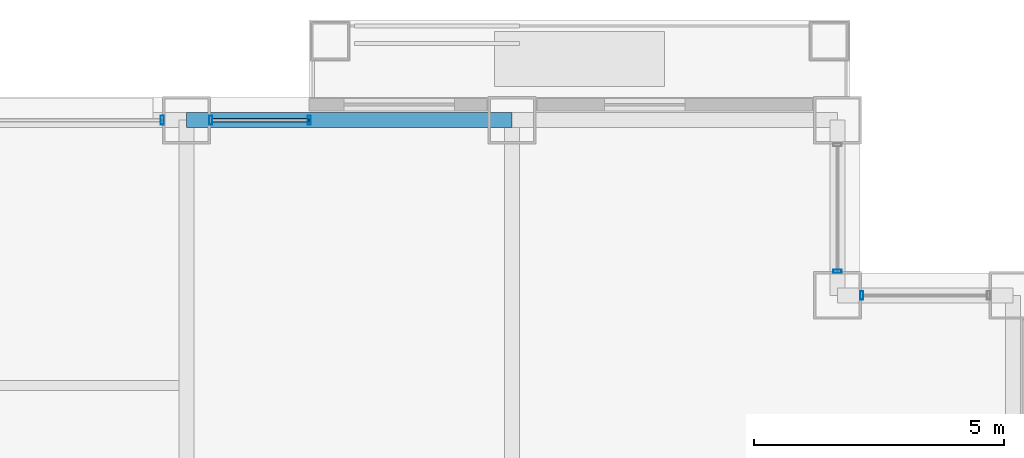
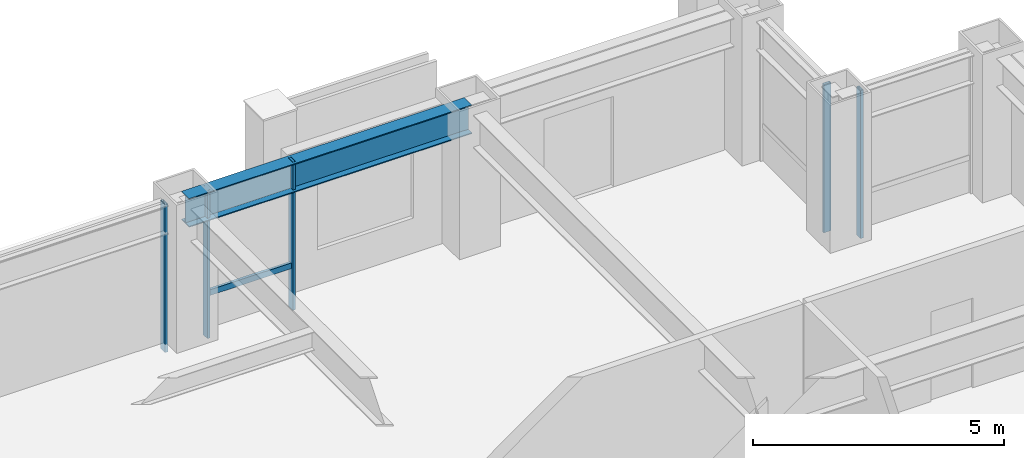
# One storey, part 21 of 31: 6 members, 1 beam, 4 elements without a shape of their own.
"""IFC4 building model written with IfcOpenShell, lengths in metres."""

import ifcopenshell
import ifcopenshell.guid

model = None  # the IFC model being written
_history = None  # IfcOwnerHistory: only IFC2X3 demands one
_inside = {}  # id of a spatial element -> (the spatial element, [elements in it])
_under = {}  # id of a project, library or spatial element -> (it, [spatial elements below it])
_declared = {}  # id of a project -> (the project, [libraries it declares])
_typed = {}  # id of a type object -> (the type object, [elements of that type])
_made_of = {}  # id of a material, layer set ... -> (it, [elements and type objects made of it])


def new_model(schema):
    """Start an empty IFC model of exactly this schema.

    Asked for "IFC4X3", IfcOpenShell would pick the latest addendum, in which some entities
    have other attributes; the version numbers below select the first issue.
    IFC2X3 requires an IfcOwnerHistory on every rooted entity: one is made here for all.
    """
    global model, _history
    if schema == "IFC4X3":
        model = ifcopenshell.file(schema_version=(4, 3, 0, 0))
    else:
        model = ifcopenshell.file(schema=schema)
    _inside.clear()
    _under.clear()
    _declared.clear()
    _typed.clear()
    _made_of.clear()
    _history = None
    if model.schema == "IFC2X3":
        org = make("IfcOrganization", Name="unknown")
        user = make(
            "IfcPersonAndOrganization",
            ThePerson=make("IfcPerson", FamilyName="unknown"),
            TheOrganization=org,
        )
        app = make(
            "IfcApplication",
            ApplicationDeveloper=org,
            Version="unknown",
            ApplicationFullName="unknown",
            ApplicationIdentifier="unknown",
        )
        _history = make(
            "IfcOwnerHistory",
            OwningUser=user,
            OwningApplication=app,
            ChangeAction="ADDED",
            CreationDate=0,
        )
    return model


def make(cls, **values):
    """One entity of the class cls with the attributes given. An attribute that is None is left unset."""
    return model.create_entity(
        cls, **{name: value for name, value in values.items() if value is not None}
    )


def rooted(cls, **values):
    """An entity with a GlobalId (a new one), such as an element, a storey or a relation."""
    return make(cls, GlobalId=ifcopenshell.guid.new(), OwnerHistory=_history, **values)


def si_unit(unit_type, name, prefix=None):
    """IfcSIUnit, for example si_unit("LENGTHUNIT", "METRE", prefix="MILLI")."""
    return make("IfcSIUnit", UnitType=unit_type, Prefix=prefix, Name=name)


def assignment(units):
    """IfcUnitAssignment: the units of a project."""
    return None if units is None else make("IfcUnitAssignment", Units=units)


def point(xyz):
    """IfcCartesianPoint."""
    return None if xyz is None else make("IfcCartesianPoint", Coordinates=xyz)


def direction(xyz):
    """IfcDirection."""
    return None if xyz is None else make("IfcDirection", DirectionRatios=xyz)


def frame(location, z_axis=None, x_axis=None):
    """IfcAxis2Placement3D, a coordinate frame: its origin and axes. An axis left out is left unset."""
    return make(
        "IfcAxis2Placement3D",
        Location=point(location),
        Axis=direction(z_axis),
        RefDirection=direction(x_axis),
    )


def frame_2d(location, x_axis=None):
    """IfcAxis2Placement2D, a coordinate frame in the plane: its origin and x axis."""
    return make(
        "IfcAxis2Placement2D", Location=point(location), RefDirection=direction(x_axis)
    )


def origin():
    """The frame at (0, 0, 0) with its axes left unset."""
    return frame((0.0, 0.0, 0.0))


def origin_2d():
    """The frame at (0, 0) in the plane with its x axis left unset."""
    return frame_2d((0.0, 0.0))


def place(relative_to, where):
    """IfcLocalPlacement: puts the frame where relative to a parent placement (None: the world)."""
    return make(
        "IfcLocalPlacement", PlacementRelTo=relative_to, RelativePlacement=where
    )


def context(
    kind, dimensions, precision=None, world=None, true_north=None, identifier=None
):
    """IfcGeometricRepresentationContext, for example the 3D "Model" context."""
    return make(
        "IfcGeometricRepresentationContext",
        ContextIdentifier=identifier,
        ContextType=kind,
        CoordinateSpaceDimension=dimensions,
        Precision=precision,
        WorldCoordinateSystem=world,
        TrueNorth=true_north,
    )


def subcontext(parent, identifier, kind, view, scale=None):
    """IfcGeometricRepresentationSubContext, for example "Body" below "Model"."""
    return make(
        "IfcGeometricRepresentationSubContext",
        ContextIdentifier=identifier,
        ContextType=kind,
        ParentContext=parent,
        TargetScale=scale,
        TargetView=view,
    )


def project(units=None, contexts=None):
    """IfcProject with its units and contexts."""
    return rooted(
        "IfcProject",
        Name="project",
        RepresentationContexts=contexts,
        UnitsInContext=assignment(units),
    )


def spatial(cls, under=None, at=None, **own):
    """A site, building, storey or space (cls), placed at a placement, below another one or the project."""
    s = rooted(cls, ObjectPlacement=at, **own)
    if under is not None:
        _under.setdefault(under.id(), (under, []))[1].append(s)
    return s


def profile(cls, at=None, kind="AREA", **sizes):
    """A parametric profile (cls). Its sizes go by their IFC names, for example OverallWidth=200.0."""
    return make(cls, ProfileType=kind, Position=at, **sizes)


def hollow_rectangle(**sizes):
    """IfcRectangleHollowProfileDef."""
    return profile("IfcRectangleHollowProfileDef", **sizes)


def i_section(**sizes):
    """IfcIShapeProfileDef."""
    return profile("IfcIShapeProfileDef", **sizes)


def extrude(swept, where, along, depth):
    """IfcExtrudedAreaSolid: the profile swept, set in the frame where, extruded along a direction by depth."""
    return make(
        "IfcExtrudedAreaSolid",
        SweptArea=swept,
        Position=where,
        ExtrudedDirection=direction(along),
        Depth=depth,
    )


def shape(context_of_items, identifier, shape_type, items):
    """IfcShapeRepresentation: the items that make up one representation, for example the "Body"."""
    return make(
        "IfcShapeRepresentation",
        ContextOfItems=context_of_items,
        RepresentationIdentifier=identifier,
        RepresentationType=shape_type,
        Items=items,
    )


def material(Name=None, Category=None):
    """IfcMaterial."""
    return make("IfcMaterial", Name=Name, Category=Category)


def layer(
    of_material, thickness, ventilated=None, Name=None, Category=None, Priority=None
):
    """IfcMaterialLayer: one layer of a wall or slab, of a material (None: an air gap)."""
    return make(
        "IfcMaterialLayer",
        Material=of_material,
        LayerThickness=thickness,
        IsVentilated=ventilated,
        Name=Name,
        Category=Category,
        Priority=Priority,
    )


def layer_set(layers, Name=None):
    """IfcMaterialLayerSet."""
    return make("IfcMaterialLayerSet", MaterialLayers=layers, LayerSetName=Name)


def material_profile(
    of_material, cross_section, Name=None, Category=None, Priority=None
):
    """IfcMaterialProfile: a cross section and its material."""
    return make(
        "IfcMaterialProfile",
        Name=Name,
        Material=of_material,
        Profile=cross_section,
        Priority=Priority,
        Category=Category,
    )


def profile_set(profiles, Name=None, composite=None):
    """IfcMaterialProfileSet."""
    return make(
        "IfcMaterialProfileSet",
        Name=Name,
        MaterialProfiles=profiles,
        CompositeProfile=composite,
    )


def made_of(thing, what):
    """Note that an element or type object is made of a material, layer set ...; save() writes the relation."""
    if what is not None:
        _made_of.setdefault(what.id(), (what, []))[1].append(thing)
    return thing


def type_object(cls, material=None, **own):
    """A type object (cls), such as IfcWallType, which elements share."""
    return made_of(rooted(cls, **own), material)


def element(
    cls,
    number,
    at=None,
    inside=None,
    cuts=None,
    type_object=None,
    material=None,
    context=None,
    identifier="Body",
    shape_type=None,
    held_by="IfcProductDefinitionShape",
    body=None,
    shapes=None,
    **own,
):
    """One element of the class cls, such as IfcWall. Its Tag is "e" and its number.

    at: its placement. inside: the storey or other place that contains it. cuts: it is an
    opening in that element (IfcRelVoidsElement). A single representation is given by context,
    identifier, shape_type and body (its items); several are given by shapes. held_by: the class
    of the entity that holds the representations. save() writes the other relations.
    """
    e = rooted(cls, Tag="e%d" % number, ObjectPlacement=at, **own)
    if body is not None:
        shapes = [shape(context, identifier, shape_type, body)]
    if shapes is not None:
        e.Representation = make(held_by, Representations=shapes)
    if inside is not None:
        _inside.setdefault(inside.id(), (inside, []))[1].append(e)
    if cuts is not None:
        rooted(
            "IfcRelVoidsElement", RelatingBuildingElement=cuts, RelatedOpeningElement=e
        )
    if type_object is not None:
        _typed.setdefault(type_object.id(), (type_object, []))[1].append(e)
    return made_of(e, material)


def aggregate(whole, parts):
    """IfcRelAggregates: a whole, such as a stair, and the parts it consists of."""
    return rooted("IfcRelAggregates", RelatingObject=whole, RelatedObjects=parts)


def save(model, path):
    """Write the relations noted so far, then the file.

    IfcRelAggregates (storeys below a building ...), IfcRelContainedInSpatialStructure (elements
    in a storey), IfcRelDefinesByType, IfcRelAssociatesMaterial and IfcRelDeclares: one each for
    every whole, place, type object, material and project.
    """
    for whole, parts in _under.values():
        aggregate(whole, parts)
    for where, things in _inside.values():
        rooted(
            "IfcRelContainedInSpatialStructure",
            RelatedElements=things,
            RelatingStructure=where,
        )
    for kind, things in _typed.values():
        rooted("IfcRelDefinesByType", RelatedObjects=things, RelatingType=kind)
    for what, things in _made_of.values():
        rooted("IfcRelAssociatesMaterial", RelatedObjects=things, RelatingMaterial=what)
    for by, libraries in _declared.values():
        rooted("IfcRelDeclares", RelatingContext=by, RelatedDefinitions=libraries)
    model.write(path)


model = new_model("IFC4")

# Units and contexts
model_context = context("Model", 3, precision=1e-05, world=origin(), true_north=direction((0.0, 1.0)))
body_context = subcontext(model_context, "Body", "Model", "MODEL_VIEW")
ifc_project = project(units=[si_unit("LENGTHUNIT", "METRE"), si_unit("AREAUNIT", "SQUARE_METRE"), si_unit("VOLUMEUNIT", "CUBIC_METRE"), si_unit("PLANEANGLEUNIT", "RADIAN"), si_unit("MASSUNIT", "GRAM", prefix="KILO")], contexts=[model_context])

# Site, building, storey
site_placement = place(None, origin())
site = spatial("IfcSite", under=ifc_project, at=site_placement, CompositionType="ELEMENT")
building_placement = place(site_placement, origin())
building = spatial("IfcBuilding", under=site, at=building_placement, Name="Brelmoor Portico Tower", CompositionType="ELEMENT")
storey_placement = place(building_placement, frame((0.0, 0.0, 31.199951171875)))
storey = spatial("IfcBuildingStorey", under=building, at=storey_placement, Name="L07", CompositionType="ELEMENT", Elevation=31.199951171875)

# Beam
ifc_material_1 = material(Name="Steel Q355B", Category="steel")
ifc_material_profile_1 = material_profile(ifc_material_1, i_section(OverallWidth=0.300048828125, OverallDepth=0.699951171875, WebThickness=0.012939453125, FlangeThickness=0.02392578125, at=origin_2d()), Name="HN 700x300x13x24")
ifc_profile_set_1 = profile_set([ifc_material_profile_1], Name="Steel Q355B")
beam_type = type_object("IfcBeamType", Name="BM-SP-700", PredefinedType="SPANDREL", material=ifc_profile_set_1)
beam_placement = place(storey_placement, frame((8.050048828125, 21.550048828125, 3.050048828125), z_axis=(1.0, 0.0, 0.0), x_axis=(0.0, 1.0, 0.0)))
element("IfcBeam", 1, at=beam_placement, inside=storey, type_object=beam_type, Name="L07 Perimeter Spandrel Beam SP-13", PredefinedType="SPANDREL", context=body_context, shape_type="SweptSolid", body=[
    extrude(i_section(OverallWidth=0.300048828125, OverallDepth=0.699951171875, WebThickness=0.012939453125, FlangeThickness=0.02392578125, at=origin_2d()), origin(), (0.0, 0.0, 1.0), 6.5),
])

# Curtain wall, member
ifc_material_2 = material(Name="Anodised Aluminium Alloy 6063-T6", Category="aluminium")
ifc_layer_1 = layer(ifc_material_2, 0.179931640625)
ifc_layer_set_1 = layer_set([ifc_layer_1], Name="Anodised Aluminium Alloy 6063-T6")
curtain_wall_type_1 = type_object("IfcCurtainWallType", Name="CW-NOTCH-CHAMFER", PredefinedType="NOTDEFINED", material=ifc_layer_set_1)
curtain_wall_1_placement = place(storey_placement, origin())
curtain_wall_1 = element("IfcCurtainWall", 2, at=curtain_wall_1_placement, inside=storey, type_object=curtain_wall_type_1, Name="L07 Curtain Wall CWN-L07-NEH", PredefinedType="NOTDEFINED")
ifc_material_profile_2 = material_profile(ifc_material_2, hollow_rectangle(XDim=0.06494140625, YDim=0.1650390625, WallThickness=0.00390625, at=origin_2d()), Name="ALU MULLION 65x165")
ifc_profile_set_2 = profile_set([ifc_material_profile_2], Name="Anodised Aluminium Alloy 6063-T6")
member_type_1 = type_object("IfcMemberType", Name="MB-CW-MULL-165", PredefinedType="MULLION", material=ifc_profile_set_2)
member_1_placement = place(storey_placement, frame((21.534912109375, 18.050048828125, -0.199951171875), z_axis=(0.0, 0.0, 1.0), x_axis=(1.0, 0.0, 0.0)))
member_1 = element("IfcMember", 3, at=member_1_placement, type_object=member_type_1, Name="CWN-L07-NEH Mullion 00", PredefinedType="MULLION", context=body_context, shape_type="SweptSolid", body=[
    extrude(hollow_rectangle(XDim=0.06494140625, YDim=0.1650390625, WallThickness=0.00390625, at=origin_2d()), origin(), (0.0, 0.0, 1.0), 3.60009765625),
])
aggregate(curtain_wall_1, [member_1])

curtain_wall_2_placement = place(storey_placement, origin())
curtain_wall_2 = element("IfcCurtainWall", 4, at=curtain_wall_2_placement, inside=storey, type_object=curtain_wall_type_1, Name="L07 Curtain Wall CWN-L07-NEV", PredefinedType="NOTDEFINED")
member_2_placement = place(storey_placement, frame((21.050048828125, 18.534912109375, -0.199951171875), z_axis=(0.0, 0.0, 1.0), x_axis=(0.0, 1.0, 0.0)))
member_2 = element("IfcMember", 5, at=member_2_placement, type_object=member_type_1, Name="CWN-L07-NEV Mullion 00", PredefinedType="MULLION", context=body_context, shape_type="SweptSolid", body=[
    extrude(hollow_rectangle(XDim=0.06494140625, YDim=0.1650390625, WallThickness=0.00390625, at=origin_2d()), origin(), (0.0, 0.0, 1.0), 3.60009765625),
])
aggregate(curtain_wall_2, [member_2])

ifc_layer_2 = layer(ifc_material_2, 0.179931640625)
ifc_layer_set_2 = layer_set([ifc_layer_2], Name="Anodised Aluminium Alloy 6063-T6")
curtain_wall_type_2 = type_object("IfcCurtainWallType", Name="CW-TOWER-Z1-XB", PredefinedType="NOTDEFINED", material=ifc_layer_set_2)
curtain_wall_3_placement = place(storey_placement, origin())
curtain_wall_3 = element("IfcCurtainWall", 6, at=curtain_wall_3_placement, inside=storey, type_object=curtain_wall_type_2, Name="L07 Curtain Wall CW-L07-2L-3", PredefinedType="NOTDEFINED")
ifc_material_profile_3 = material_profile(ifc_material_2, hollow_rectangle(XDim=0.06494140625, YDim=0.179931640625, WallThickness=0.00390625, at=origin_2d()), Name="ALU MULLION 65x180")
ifc_profile_set_3 = profile_set([ifc_material_profile_3], Name="Anodised Aluminium Alloy 6063-T6")
member_type_2 = type_object("IfcMemberType", Name="MB-CW-MULL-180", PredefinedType="MULLION", material=ifc_profile_set_3)
member_3_placement = place(storey_placement, frame((7.56494140625, 21.550048828125, -0.199951171875), z_axis=(0.0, 0.0, 1.0), x_axis=(1.0, 0.0, 0.0)))
member_3 = element("IfcMember", 7, at=member_3_placement, type_object=member_type_2, Name="CW-L07-2L-3 Mullion 01", PredefinedType="MULLION", context=body_context, shape_type="SweptSolid", body=[
    extrude(hollow_rectangle(XDim=0.06494140625, YDim=0.179931640625, WallThickness=0.00390625, at=origin_2d()), origin(), (0.0, 0.0, 1.0), 3.60009765625),
])
aggregate(curtain_wall_3, [member_3])

# Curtain wall, members
ifc_layer_3 = layer(ifc_material_2, 0.179931640625)
ifc_layer_set_3 = layer_set([ifc_layer_3], Name="Anodised Aluminium Alloy 6063-T6")
curtain_wall_type_3 = type_object("IfcCurtainWallType", Name="CW-TOWER-Z1", PredefinedType="NOTDEFINED", material=ifc_layer_set_3)
curtain_wall_4_placement = place(storey_placement, origin())
curtain_wall_4 = element("IfcCurtainWall", 8, at=curtain_wall_4_placement, inside=storey, type_object=curtain_wall_type_3, Name="L07 Curtain Wall CW-L07-2L-4", PredefinedType="NOTDEFINED")
member_4_placement = place(storey_placement, frame((8.534912109375, 21.550048828125, -0.199951171875), z_axis=(0.0, 0.0, 1.0), x_axis=(1.0, 0.0, 0.0)))
member_4 = element("IfcMember", 9, at=member_4_placement, type_object=member_type_2, Name="CW-L07-2L-4 Mullion 00", PredefinedType="MULLION", context=body_context, shape_type="SweptSolid", body=[
    extrude(hollow_rectangle(XDim=0.06494140625, YDim=0.179931640625, WallThickness=0.00390625, at=origin_2d()), origin(), (0.0, 0.0, 1.0), 3.60009765625),
])
member_5_placement = place(storey_placement, frame((10.5, 21.550048828125, -0.199951171875), z_axis=(0.0, 0.0, 1.0), x_axis=(1.0, 0.0, 0.0)))
member_5 = element("IfcMember", 10, at=member_5_placement, type_object=member_type_2, Name="CW-L07-2L-4 Mullion 01", PredefinedType="MULLION", context=body_context, shape_type="SweptSolid", body=[
    extrude(hollow_rectangle(XDim=0.06494140625, YDim=0.179931640625, WallThickness=0.00390625, at=origin_2d()), origin(), (0.0, 0.0, 1.0), 3.60009765625),
])
ifc_material_profile_4 = material_profile(ifc_material_2, hollow_rectangle(XDim=0.06494140625, YDim=0.139892578125, WallThickness=0.00390625, at=origin_2d()), Name="ALU TRANSOM 65x140")
ifc_profile_set_4 = profile_set([ifc_material_profile_4], Name="Anodised Aluminium Alloy 6063-T6")
member_type_3 = type_object("IfcMemberType", Name="MB-CW-TRAN-140", PredefinedType="USERDEFINED", material=ifc_profile_set_4)
member_6_placement = place(storey_placement, frame((8.534912109375, 21.550048828125, 0.85009765625), z_axis=(1.0, 0.0, 0.0), x_axis=(0.0, 1.0, 0.0)))
member_6 = element("IfcMember", 11, at=member_6_placement, type_object=member_type_3, Name="CW-L07-2L-4 Transom 1-00", ObjectType="TRANSOM", PredefinedType="USERDEFINED", context=body_context, shape_type="SweptSolid", body=[
    extrude(hollow_rectangle(XDim=0.06494140625, YDim=0.139892578125, WallThickness=0.00390625, at=origin_2d()), origin(), (0.0, 0.0, 1.0), 1.965087890625),
])
aggregate(curtain_wall_4, [member_4, member_5, member_6])

save(model, "model.ifc")
